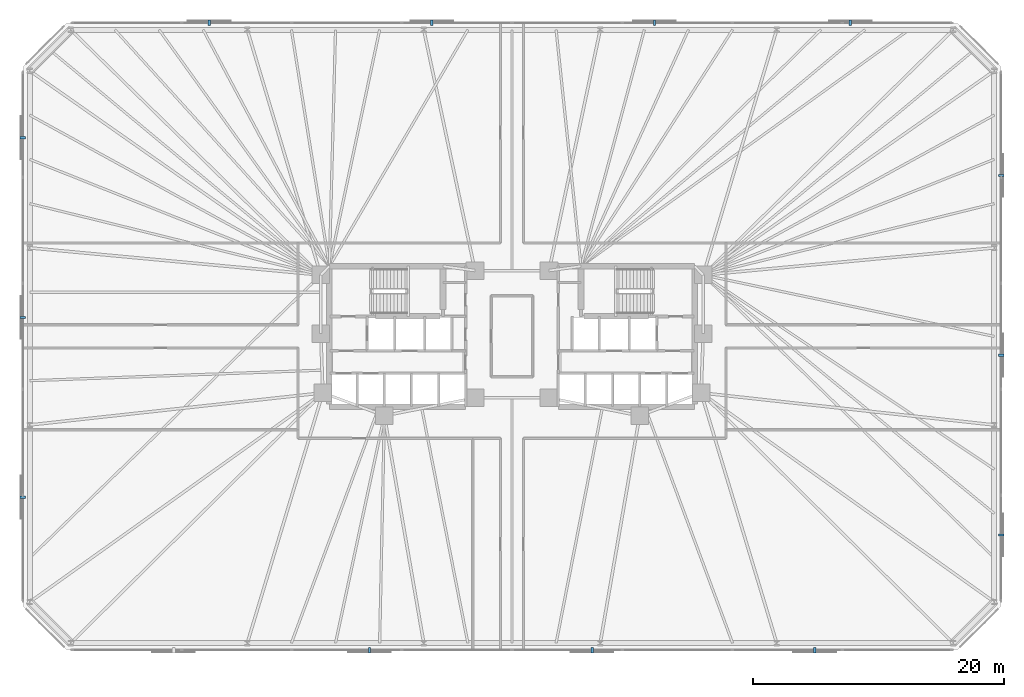
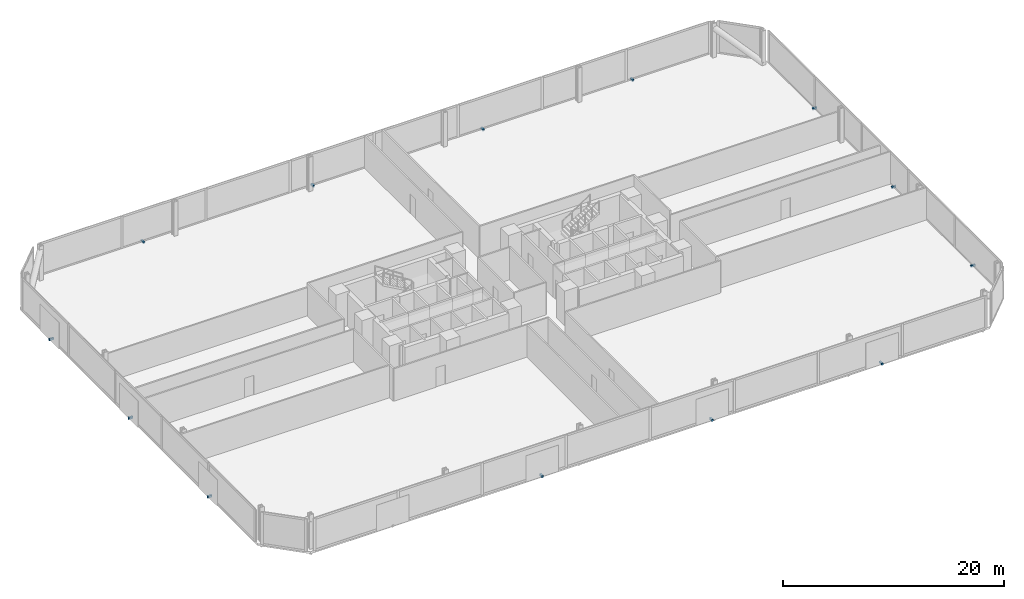
# One storey, part 15 of 16: 13 discrete accessories.
"""IFC4 building model written with IfcOpenShell, lengths in metres."""

from ifc_helpers import new_model, si_unit, direction, frame, origin, origin_2d, place, context, subcontext, project, spatial, rectangle, extrude, material, type_object, element, save


model = new_model("IFC4")

# Units and contexts
model_context = context("Model", 3, precision=1e-05, world=origin(), true_north=direction((0.0, 1.0)))
body_context = subcontext(model_context, "Body", "Model", "MODEL_VIEW")
ifc_project = project(units=[si_unit("LENGTHUNIT", "METRE"), si_unit("AREAUNIT", "SQUARE_METRE"), si_unit("VOLUMEUNIT", "CUBIC_METRE"), si_unit("PLANEANGLEUNIT", "RADIAN"), si_unit("MASSUNIT", "GRAM", prefix="KILO")], contexts=[model_context])

# Site, building, storey
site_placement = place(None, origin())
site = spatial("IfcSite", under=ifc_project, at=site_placement, CompositionType="ELEMENT")
building_placement = place(site_placement, origin())
building = spatial("IfcBuilding", under=site, at=building_placement, Name="Menara Jurai Vektor", CompositionType="ELEMENT")
storey_placement = place(building_placement, frame((0.0, 0.0, 14.199951171875)))
storey = spatial("IfcBuildingStorey", under=building, at=storey_placement, Name="L02", CompositionType="ELEMENT", Elevation=14.199951171875)

# Discrete accessories
ifc_material = material(Name="Steel S355", Category="steel")
discrete_accessory_type = type_object("IfcDiscreteAccessoryType", Name="ENV-ACC-BRACKET", PredefinedType="BRACKET", material=ifc_material)
for number, where, z_axis, x_axis, name in (
    (1, (-11.360107421875, -25.010009765625, -0.1298828125), (0.0, 0.0, 1.0), (1.0, 0.0, 0.0), "Solar Screen Stand-Off Bracket L02-S02"),
    (2, (6.389892578125, -25.010009765625, -0.1298828125), (0.0, 0.0, 1.0), (1.0, 0.0, 0.0), "Solar Screen Stand-Off Bracket L02-S03"),
    (3, (24.139892578125, -25.010009765625, -0.1298828125), (0.0, 0.0, 1.0), (1.0, 0.0, 0.0), "Solar Screen Stand-Off Bracket L02-S04"),
    (4, (39.010009765625, -15.83837890625, -0.1298828125), (0.0, 0.0, 1.0), (0.0, 1.0, 0.0), "Solar Screen Stand-Off Bracket L02-S05"),
    (5, (39.010009765625, -1.5048828125, -0.1298828125), (0.0, 0.0, 1.0), (0.0, 1.0, 0.0), "Solar Screen Stand-Off Bracket L02-S06"),
    (6, (39.010009765625, 12.828369140625, -0.1298828125), (0.0, 0.0, 1.0), (0.0, 1.0, 0.0), "Solar Screen Stand-Off Bracket L02-S07"),
    (7, (26.97998046875, 25.010009765625, -0.1298828125), (0.0, 0.0, 1.0), (-1.0, 0.0, 0.0), "Solar Screen Stand-Off Bracket L02-S08"),
    (8, (11.360107421875, 25.010009765625, -0.1298828125), (0.0, 0.0, 1.0), (-1.0, 0.0, 0.0), "Solar Screen Stand-Off Bracket L02-S09"),
    (9, (-6.389892578125, 25.010009765625, -0.1298828125), (0.0, 0.0, 1.0), (-1.0, 0.0, 0.0), "Solar Screen Stand-Off Bracket L02-S10"),
    (10, (-24.139892578125, 25.010009765625, -0.1298828125), (0.0, 0.0, 1.0), (-1.0, 0.0, 0.0), "Solar Screen Stand-Off Bracket L02-S11"),
    (11, (-39.010009765625, 15.83837890625, -0.1298828125), (0.0, 0.0, 1.0), (0.0, -1.0, 0.0), "Solar Screen Stand-Off Bracket L02-S12"),
    (12, (-39.010009765625, 1.5048828125, -0.1298828125), (0.0, 0.0, 1.0), (0.0, -1.0, 0.0), "Solar Screen Stand-Off Bracket L02-S13"),
    (13, (-39.010009765625, -12.828369140625, -0.1298828125), (0.0, 0.0, 1.0), (0.0, -1.0, 0.0), "Solar Screen Stand-Off Bracket L02-S14"),
):
    element("IfcDiscreteAccessory", number, at=place(storey_placement, frame(where, z_axis=z_axis, x_axis=x_axis)), inside=storey, type_object=discrete_accessory_type, Name=name, PredefinedType="BRACKET", context=body_context, shape_type="SweptSolid", body=[
        extrude(rectangle(XDim=0.179931640625, YDim=0.43994140625, at=origin_2d()), origin(), (0.0, 0.0, 1.0), 0.219970703125),
    ])

save(model, "model.ifc")
